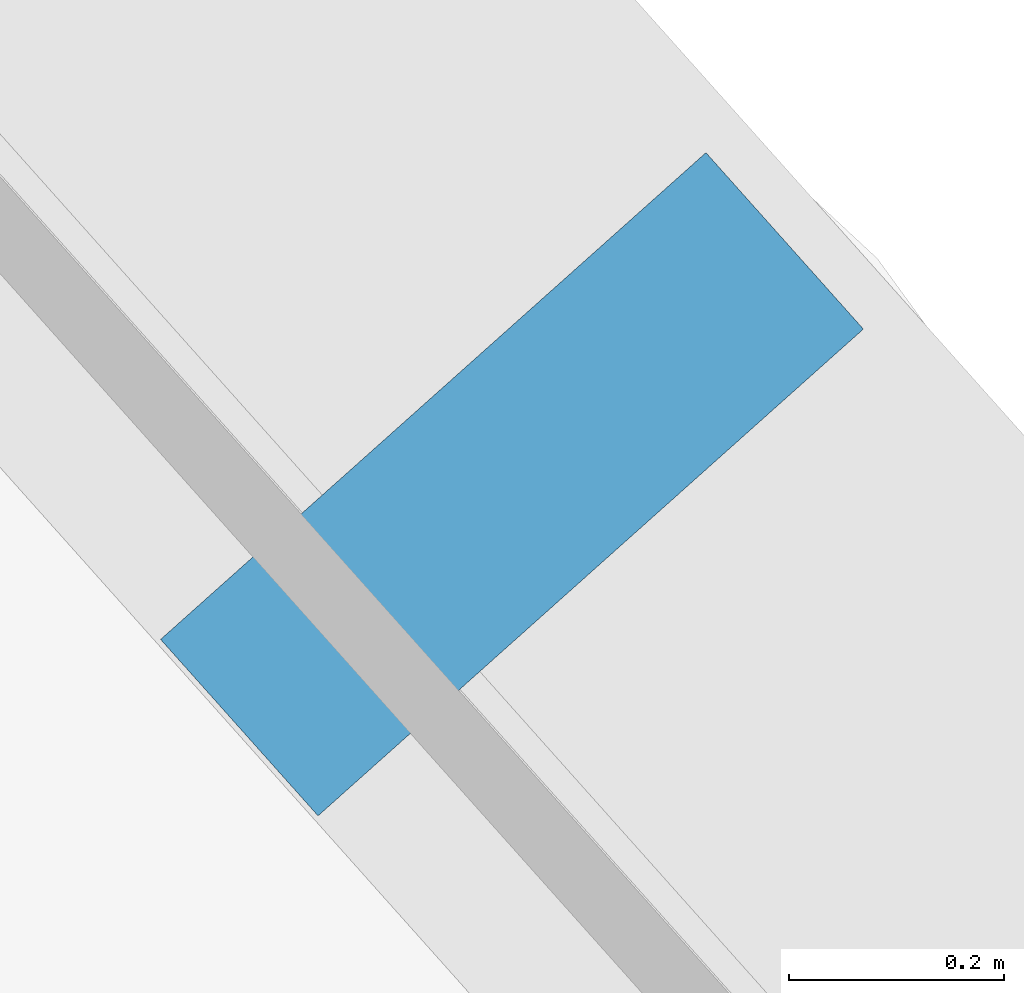
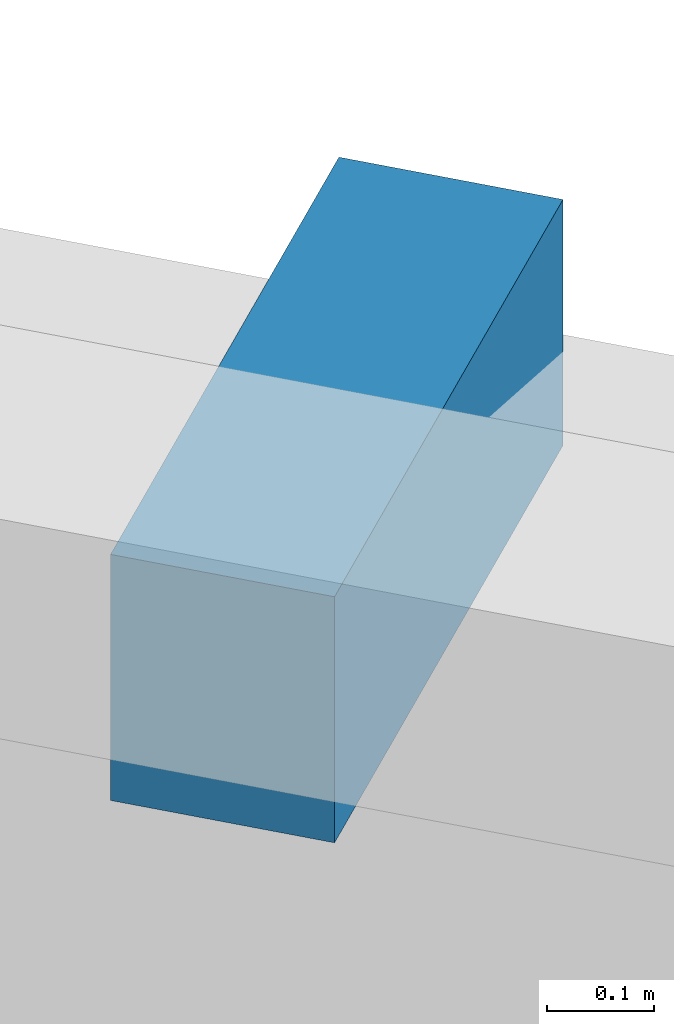
# One storey, part 13 of 16: 1 discrete accessory.
"""IFC4 building model written with IfcOpenShell, lengths in metres."""

from ifc_helpers import new_model, si_unit, direction, frame, origin, origin_2d, place, context, subcontext, project, spatial, rectangle, extrude, material, type_object, element, save


model = new_model("IFC4")

# Units and contexts
model_context = context("Model", 3, precision=1e-05, world=origin(), true_north=direction((0.0, 1.0)))
body_context = subcontext(model_context, "Body", "Model", "MODEL_VIEW")
ifc_project = project(units=[si_unit("LENGTHUNIT", "METRE"), si_unit("AREAUNIT", "SQUARE_METRE"), si_unit("VOLUMEUNIT", "CUBIC_METRE"), si_unit("PLANEANGLEUNIT", "RADIAN"), si_unit("MASSUNIT", "GRAM", prefix="KILO"), si_unit("THERMODYNAMICTEMPERATUREUNIT", "KELVIN"), si_unit("POWERUNIT", "WATT")], contexts=[model_context])

# Site, building, storey
site_placement = place(None, origin())
site = spatial("IfcSite", under=ifc_project, at=site_placement, CompositionType="ELEMENT")
building_placement = place(site_placement, origin())
building = spatial("IfcBuilding", under=site, at=building_placement, Name="Ocrelia Relay Tower", CompositionType="ELEMENT")
storey_placement = place(building_placement, frame((0.0, 0.0, 51.0)))
storey = spatial("IfcBuildingStorey", under=building, at=storey_placement, Name="L11", CompositionType="ELEMENT", Elevation=51.0)

# Discrete accessory
ifc_material = material(Name="Steel S355", Category="steel")
discrete_accessory_type = type_object("IfcDiscreteAccessoryType", Name="ACC-VISOR-BRACKET", PredefinedType="BRACKET", material=ifc_material)
discrete_accessory_placement = place(storey_placement, frame((56.935302734375, 38.51123046875, 2.7001953125), z_axis=(0.0, 0.0, 1.0), x_axis=(-0.665877522085, 0.746061073627, 0.0)))
element("IfcDiscreteAccessory", 1, at=discrete_accessory_placement, inside=storey, type_object=discrete_accessory_type, Name="L11 Visor Mounting Bracket 02", PredefinedType="BRACKET", context=body_context, shape_type="SweptSolid", body=[
    extrude(rectangle(XDim=0.219970703125, YDim=0.679931640625, at=origin_2d()), origin(), (0.0, 0.0, 1.0), 0.280029296875),
])

save(model, "model.ifc")
